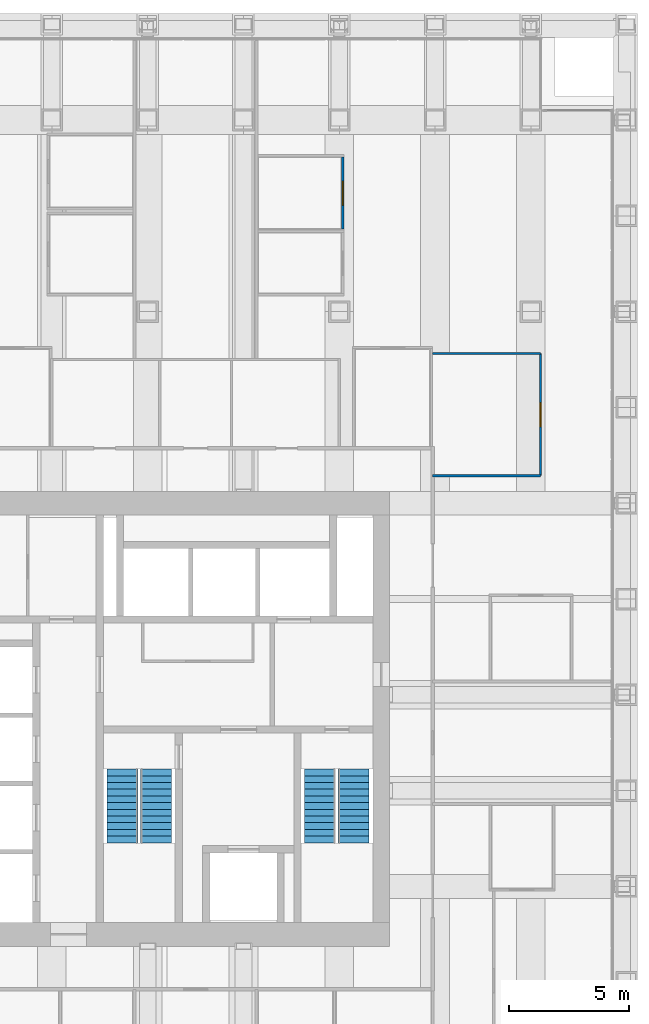
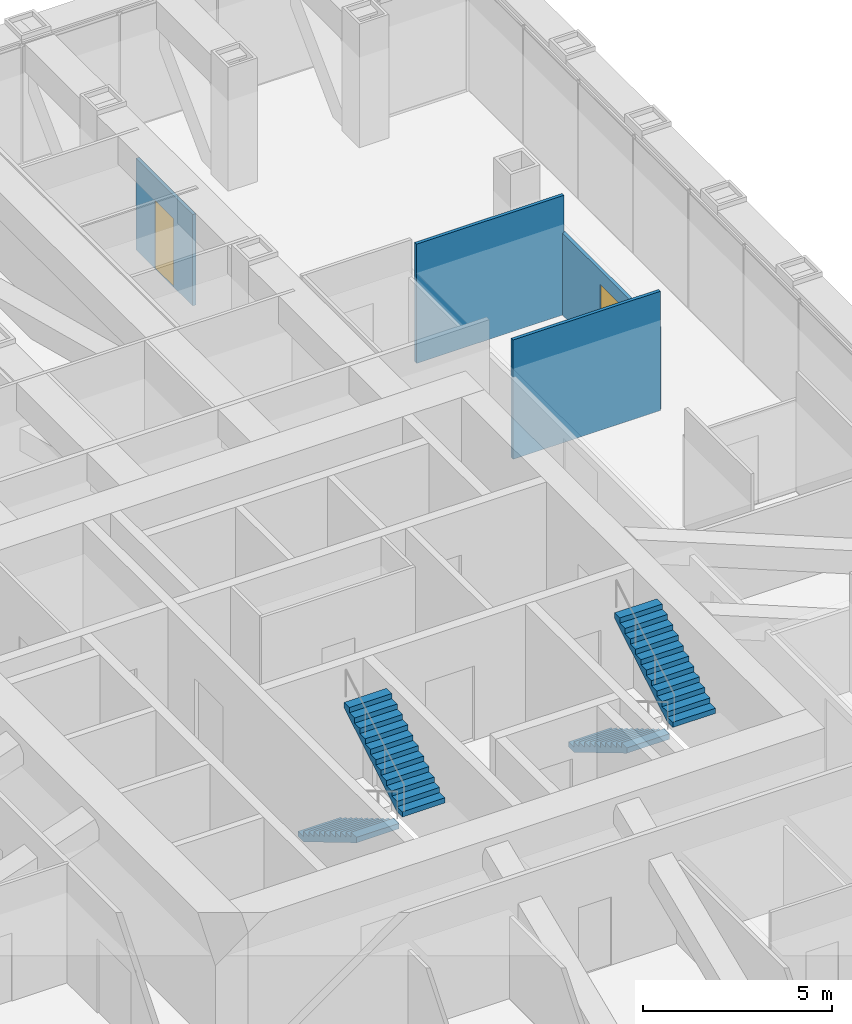
# One storey, part 13 of 16: 4 stair flights, 4 walls, 2 doors, 2 openings, 2 elements without a shape of their own.
"""IFC4 building model written with IfcOpenShell, lengths in metres."""

from ifc_helpers import new_model, si_unit, direction, frame, frame_2d, origin, place, context, subcontext, project, spatial, polyline, rectangle, outline, extrude, material, layer, layer_set, type_object, element, fill, aggregate, save


model = new_model("IFC4")

# Units and contexts
model_context = context("Model", 3, precision=1e-05, world=origin(), true_north=direction((0.0, 1.0)))
body_context = subcontext(model_context, "Body", "Model", "MODEL_VIEW")
ifc_project = project(units=[si_unit("LENGTHUNIT", "METRE"), si_unit("AREAUNIT", "SQUARE_METRE"), si_unit("VOLUMEUNIT", "CUBIC_METRE"), si_unit("PLANEANGLEUNIT", "RADIAN"), si_unit("MASSUNIT", "GRAM", prefix="KILO")], contexts=[model_context])

# Site, building, storey
site_placement = place(None, origin())
site = spatial("IfcSite", under=ifc_project, at=site_placement, CompositionType="ELEMENT")
building_placement = place(site_placement, origin())
building = spatial("IfcBuilding", under=site, at=building_placement, Name="Rimbunsela Tower", CompositionType="ELEMENT")
storey_placement = place(building_placement, frame((0.0, 0.0, 171.800048828125)))
storey = spatial("IfcBuildingStorey", under=building, at=storey_placement, Name="L41", CompositionType="ELEMENT", Elevation=171.800048828125)

# Wall, opening, door
ifc_material_1 = material(Name="Gypsum board on steel studs", Category="steel")
ifc_layer = layer(ifc_material_1, 0.10009765625)
ifc_layer_set = layer_set([ifc_layer], Name="Office partition 100")
wall_type = type_object("IfcWallType", Name="Office partition 100", PredefinedType="PARTITIONING", material=ifc_layer_set)
wall_1_placement = place(storey_placement, frame((34.14990234375, 47.449951171875, 0.0), z_axis=(0.0, 0.0, 1.0), x_axis=(0.0, 1.0, 0.0)))
wall_1 = element("IfcWall", 1, at=wall_1_placement, inside=storey, type_object=wall_type, Name="Office partition", PredefinedType="PARTITIONING", context=body_context, shape_type="SweptSolid", body=[
    extrude(rectangle(XDim=3.0, YDim=0.10009765625, at=frame_2d((1.5, 0.0))), origin(), (0.0, 0.0, 1.0), 2.949951171875),
])
opening_1_placement = place(wall_1_placement, frame((1.0, 0.0, 0.0)))
opening_1 = element("IfcOpeningElement", 2, at=opening_1_placement, cuts=wall_1, Name="Opening D16", PredefinedType="OPENING", context=body_context, shape_type="SweptSolid", body=[
    extrude(rectangle(XDim=1.0, YDim=2.199951171875, at=frame_2d((0.5, 1.10009765625))), frame((0.0, 0.06005859375, 0.0), z_axis=(0.0, -1.0, 0.0), x_axis=(1.0, 0.0, 0.0)), (0.0, 0.0, 1.0), 0.1201171875),
])
ifc_material_2 = material(Name="Timber door", Category="wood")
door_type_1 = type_object("IfcDoorType", Name="Office door 1000", OperationType="SINGLE_SWING_LEFT", PredefinedType="DOOR", material=ifc_material_2)
door_1_placement = place(opening_1_placement, origin())
door_1 = element("IfcDoor", 3, at=door_1_placement, inside=storey, type_object=door_type_1, Name="Office door", OperationType="SINGLE_SWING_LEFT", OverallHeight=2.199951171875, OverallWidth=1.0, PredefinedType="DOOR", context=body_context, shape_type="SweptSolid", body=[
    extrude(rectangle(XDim=1.0, YDim=2.199951171875, at=frame_2d((0.5, 1.10009765625))), frame((0.0, 0.02490234375, 0.0), z_axis=(0.0, -1.0, 0.0), x_axis=(1.0, 0.0, 0.0)), (0.0, 0.0, 1.0), 0.050048828125),
])
fill(opening_1, door_1)

# Wall
wall_2_placement = place(storey_placement, frame((37.89990234375, 37.15087890625, 0.0), z_axis=(0.0, 0.0, 1.0), x_axis=(1.0, 0.0, 0.0)))
element("IfcWall", 4, at=wall_2_placement, inside=storey, type_object=wall_type, Name="Office partition", PredefinedType="PARTITIONING", context=body_context, shape_type="SweptSolid", body=[
    extrude(rectangle(XDim=4.5, YDim=0.10009765625, at=frame_2d((2.25, 0.0))), origin(), (0.0, 0.0, 1.0), 3.849853515625),
])

# Wall, opening, door
wall_3_placement = place(storey_placement, frame((42.39990234375, 37.15087890625, 0.0), z_axis=(0.0, 0.0, 1.0), x_axis=(0.0, 1.0, 0.0)))
wall_3 = element("IfcWall", 5, at=wall_3_placement, inside=storey, type_object=wall_type, Name="Office partition", PredefinedType="PARTITIONING", context=body_context, shape_type="SweptSolid", body=[
    extrude(rectangle(XDim=5.10009765625, YDim=0.10009765625, at=frame_2d((2.550048828125, 0.0))), origin(), (0.0, 0.0, 1.0), 2.64990234375),
])
opening_2_placement = place(wall_3_placement, frame((2.050048828125, 0.0, 0.0)))
opening_2 = element("IfcOpeningElement", 6, at=opening_2_placement, cuts=wall_3, Name="Opening D17", PredefinedType="OPENING", context=body_context, shape_type="SweptSolid", body=[
    extrude(rectangle(XDim=1.0, YDim=2.199951171875, at=frame_2d((0.5, 1.10009765625))), frame((0.0, 0.06005859375, 0.0), z_axis=(0.0, -1.0, 0.0), x_axis=(1.0, 0.0, 0.0)), (0.0, 0.0, 1.0), 0.1201171875),
])
ifc_material_3 = material(Name="Glazed aluminium door", Category="aluminium")
door_type_2 = type_object("IfcDoorType", Name="Meeting room door 1000 glazed", OperationType="SINGLE_SWING_RIGHT", PredefinedType="DOOR", material=ifc_material_3)
door_2_placement = place(opening_2_placement, origin())
door_2 = element("IfcDoor", 7, at=door_2_placement, inside=storey, type_object=door_type_2, Name="Reception door", OperationType="SINGLE_SWING_RIGHT", OverallHeight=2.199951171875, OverallWidth=1.0, PredefinedType="DOOR", context=body_context, shape_type="SweptSolid", body=[
    extrude(rectangle(XDim=1.0, YDim=2.199951171875, at=frame_2d((0.5, 1.10009765625))), frame((0.0, 0.02490234375, 0.0), z_axis=(0.0, -1.0, 0.0), x_axis=(1.0, 0.0, 0.0)), (0.0, 0.0, 1.0), 0.050048828125),
])
fill(opening_2, door_2)

# Wall
wall_4_placement = place(storey_placement, frame((42.39990234375, 42.2509765625, 0.0), z_axis=(0.0, 0.0, 1.0), x_axis=(-1.0, 0.0, 0.0)))
element("IfcWall", 8, at=wall_4_placement, inside=storey, type_object=wall_type, Name="Office partition", PredefinedType="PARTITIONING", context=body_context, shape_type="SweptSolid", body=[
    extrude(rectangle(XDim=4.5, YDim=0.10009765625, at=frame_2d((2.25, 0.0))), origin(), (0.0, 0.0, 1.0), 3.849853515625),
])

# Stair, stair flights
ifc_material_4 = material(Name="Concrete fc' 35 MPa", Category="concrete")
stair_type = type_object("IfcStairType", Name="Exit stair 24 risers", PredefinedType="HALF_TURN_STAIR", material=ifc_material_4)
stair_1_placement = place(storey_placement, origin())
stair_1 = element("IfcStair", 9, at=stair_1_placement, inside=storey, type_object=stair_type, Name="Exit stair A L41", PredefinedType="HALF_TURN_STAIR")
ifc_material_5 = material(Name="Concrete fc' 35 MPa", Category="concrete")
stair_flight_type = type_object("IfcStairFlightType", Name="Stair flight 12 risers 167", PredefinedType="STRAIGHT", material=ifc_material_5)
stair_flight_1_placement = place(storey_placement, frame((24.949951171875, 24.89990234375, 0.0), z_axis=(0.0, 0.0, 1.0), x_axis=(0.0, -1.0, 0.0)))
stair_flight_1 = element("IfcStairFlight", 10, at=stair_flight_1_placement, type_object=stair_flight_type, Name="ST-A flight 1", NumberOfRisers=12, NumberOfTreads=11, PredefinedType="STRAIGHT", RiserHeight=0.166666667, TreadLength=0.28, context=body_context, shape_type="SweptSolid", body=[
    extrude(outline(polyline([(0.0, 0.0), (0.0, 0.166748046875), (0.280029296875, 0.166748046875), (0.280029296875, 0.333251953125), (0.56005859375, 0.333251953125), (0.56005859375, 0.5), (0.840087890625, 0.5), (0.840087890625, 0.666748046875), (1.1201171875, 0.666748046875), (1.1201171875, 0.833251953125), (1.39990234375, 0.833251953125), (1.39990234375, 1.0), (1.679931640625, 1.0), (1.679931640625, 1.166748046875), (1.9599609375, 1.166748046875), (1.9599609375, 1.333251953125), (2.239990234375, 1.333251953125), (2.239990234375, 1.5), (2.52001953125, 1.5), (2.52001953125, 1.666748046875), (2.800048828125, 1.666748046875), (2.800048828125, 1.833251953125), (3.080078125, 1.833251953125), (3.080078125, 2.0), (3.080078125, 1.658935546875), (0.29296875, 0.0), (0.0, 0.0)])), frame((0.0, 0.64990234375, 0.0), z_axis=(0.0, -1.0, 0.0), x_axis=(1.0, 0.0, 0.0)), (0.0, 0.0, 1.0), 1.300048828125),
])
stair_flight_2_placement = place(storey_placement, frame((26.35009765625, 21.820068359375, 2.0), z_axis=(0.0, 0.0, 1.0), x_axis=(0.0, 1.0, 0.0)))
stair_flight_2 = element("IfcStairFlight", 11, at=stair_flight_2_placement, type_object=stair_flight_type, Name="ST-A flight 2", NumberOfRisers=12, NumberOfTreads=11, PredefinedType="STRAIGHT", RiserHeight=0.166666667, TreadLength=0.28, context=body_context, shape_type="SweptSolid", body=[
    extrude(outline(polyline([(0.0, 0.0), (0.0, 0.166748046875), (0.280029296875, 0.166748046875), (0.280029296875, 0.333251953125), (0.56005859375, 0.333251953125), (0.56005859375, 0.5), (0.840087890625, 0.5), (0.840087890625, 0.666748046875), (1.1201171875, 0.666748046875), (1.1201171875, 0.833251953125), (1.39990234375, 0.833251953125), (1.39990234375, 1.0), (1.679931640625, 1.0), (1.679931640625, 1.166748046875), (1.9599609375, 1.166748046875), (1.9599609375, 1.333251953125), (2.239990234375, 1.333251953125), (2.239990234375, 1.5), (2.52001953125, 1.5), (2.52001953125, 1.666748046875), (2.800048828125, 1.666748046875), (2.800048828125, 1.833251953125), (3.080078125, 1.833251953125), (3.080078125, 2.0), (3.080078125, 1.658935546875), (0.29296875, 0.0), (0.0, 0.0)])), frame((0.0, 0.64990234375, 0.0), z_axis=(0.0, -1.0, 0.0), x_axis=(1.0, 0.0, 0.0)), (0.0, 0.0, 1.0), 1.300048828125),
])
aggregate(stair_1, [stair_flight_1, stair_flight_2])

stair_2_placement = place(storey_placement, origin())
stair_2 = element("IfcStair", 12, at=stair_2_placement, inside=storey, type_object=stair_type, Name="Exit stair B L41", PredefinedType="HALF_TURN_STAIR")
stair_flight_3_placement = place(storey_placement, frame((33.199951171875, 24.89990234375, 0.0), z_axis=(0.0, 0.0, 1.0), x_axis=(0.0, -1.0, 0.0)))
stair_flight_3 = element("IfcStairFlight", 13, at=stair_flight_3_placement, type_object=stair_flight_type, Name="ST-B flight 1", NumberOfRisers=12, NumberOfTreads=11, PredefinedType="STRAIGHT", RiserHeight=0.166666667, TreadLength=0.28, context=body_context, shape_type="SweptSolid", body=[
    extrude(outline(polyline([(0.0, 0.0), (0.0, 0.166748046875), (0.280029296875, 0.166748046875), (0.280029296875, 0.333251953125), (0.56005859375, 0.333251953125), (0.56005859375, 0.5), (0.840087890625, 0.5), (0.840087890625, 0.666748046875), (1.1201171875, 0.666748046875), (1.1201171875, 0.833251953125), (1.39990234375, 0.833251953125), (1.39990234375, 1.0), (1.679931640625, 1.0), (1.679931640625, 1.166748046875), (1.9599609375, 1.166748046875), (1.9599609375, 1.333251953125), (2.239990234375, 1.333251953125), (2.239990234375, 1.5), (2.52001953125, 1.5), (2.52001953125, 1.666748046875), (2.800048828125, 1.666748046875), (2.800048828125, 1.833251953125), (3.080078125, 1.833251953125), (3.080078125, 2.0), (3.080078125, 1.658935546875), (0.29296875, 0.0), (0.0, 0.0)])), frame((0.0, 0.64990234375, 0.0), z_axis=(0.0, -1.0, 0.0), x_axis=(1.0, 0.0, 0.0)), (0.0, 0.0, 1.0), 1.300048828125),
])
stair_flight_4_placement = place(storey_placement, frame((34.60009765625, 21.820068359375, 2.0), z_axis=(0.0, 0.0, 1.0), x_axis=(0.0, 1.0, 0.0)))
stair_flight_4 = element("IfcStairFlight", 14, at=stair_flight_4_placement, type_object=stair_flight_type, Name="ST-B flight 2", NumberOfRisers=12, NumberOfTreads=11, PredefinedType="STRAIGHT", RiserHeight=0.166666667, TreadLength=0.28, context=body_context, shape_type="SweptSolid", body=[
    extrude(outline(polyline([(0.0, 0.0), (0.0, 0.166748046875), (0.280029296875, 0.166748046875), (0.280029296875, 0.333251953125), (0.56005859375, 0.333251953125), (0.56005859375, 0.5), (0.840087890625, 0.5), (0.840087890625, 0.666748046875), (1.1201171875, 0.666748046875), (1.1201171875, 0.833251953125), (1.39990234375, 0.833251953125), (1.39990234375, 1.0), (1.679931640625, 1.0), (1.679931640625, 1.166748046875), (1.9599609375, 1.166748046875), (1.9599609375, 1.333251953125), (2.239990234375, 1.333251953125), (2.239990234375, 1.5), (2.52001953125, 1.5), (2.52001953125, 1.666748046875), (2.800048828125, 1.666748046875), (2.800048828125, 1.833251953125), (3.080078125, 1.833251953125), (3.080078125, 2.0), (3.080078125, 1.658935546875), (0.29296875, 0.0), (0.0, 0.0)])), frame((0.0, 0.64990234375, 0.0), z_axis=(0.0, -1.0, 0.0), x_axis=(1.0, 0.0, 0.0)), (0.0, 0.0, 1.0), 1.300048828125),
])
aggregate(stair_2, [stair_flight_3, stair_flight_4])

save(model, "model.ifc")
